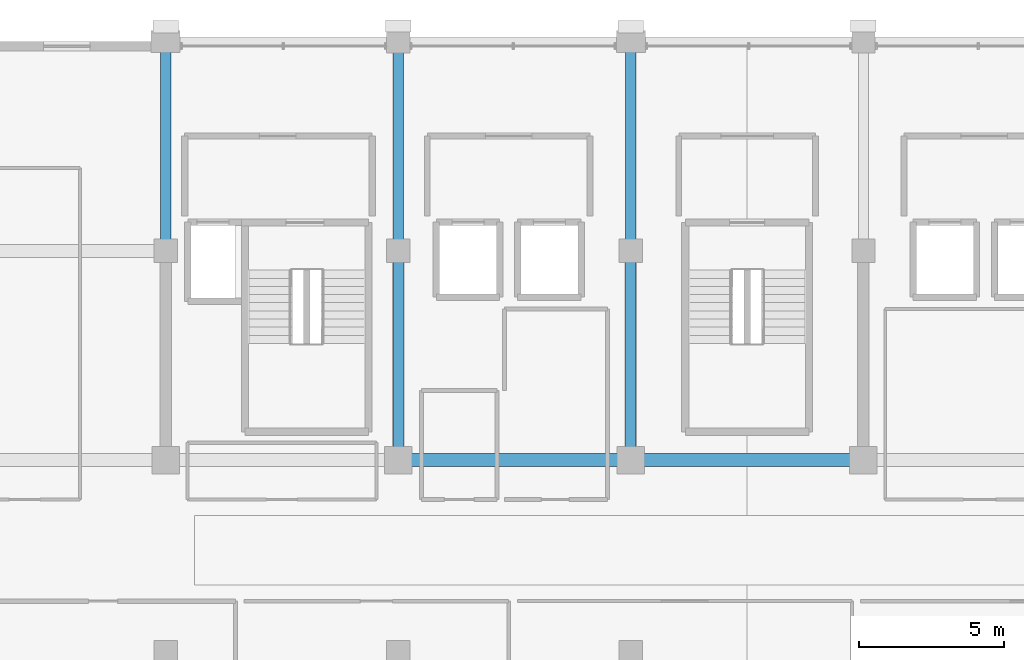
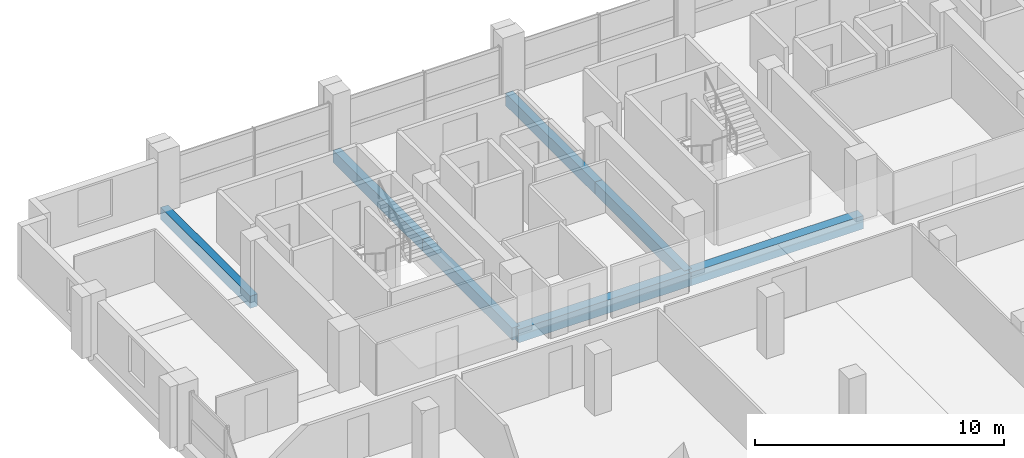
# One storey, part 12 of 23: 7 beams.
"""IFC4 building model written with IfcOpenShell, lengths in metres."""

from ifc_helpers import new_model, si_unit, direction, frame, origin, origin_2d, place, context, subcontext, project, spatial, rectangle, extrude, material, material_profile, profile_set, type_object, element, save


model = new_model("IFC4")

# Units and contexts
model_context = context("Model", 3, precision=1e-05, world=origin(), true_north=direction((0.0, 1.0)))
body_context = subcontext(model_context, "Body", "Model", "MODEL_VIEW")
ifc_project = project(units=[si_unit("LENGTHUNIT", "METRE"), si_unit("AREAUNIT", "SQUARE_METRE"), si_unit("VOLUMEUNIT", "CUBIC_METRE"), si_unit("PLANEANGLEUNIT", "RADIAN"), si_unit("MASSUNIT", "GRAM", prefix="KILO")], contexts=[model_context])

# Site, building, storey
site_placement = place(None, origin())
site = spatial("IfcSite", under=ifc_project, at=site_placement, CompositionType="ELEMENT")
building_placement = place(site_placement, origin())
building = spatial("IfcBuilding", under=site, at=building_placement, Name="Akrevak Sports Hall", CompositionType="ELEMENT")
storey_placement = place(building_placement, frame((0.0, 0.0, 43.800048828125)))
storey = spatial("IfcBuildingStorey", under=building, at=storey_placement, Name="L10", CompositionType="ELEMENT", Elevation=43.800048828125)

# Beams
ifc_material = material(Name="Concrete C40/50", Category="concrete")
ifc_material_profile_1 = material_profile(ifc_material, rectangle(XDim=0.35009765625, YDim=0.60009765625, at=origin_2d()), Name="BM 350x600", Category="concrete")
ifc_profile_set_1 = profile_set([ifc_material_profile_1], Name="Concrete C40/50")
beam_type_1 = type_object("IfcBeamType", Name="STR-BM-RC350x600", PredefinedType="BEAM", material=ifc_profile_set_1)
beam_1_placement = place(storey_placement, frame((60.0, 62.39990234375, -0.300048828125), z_axis=(0.0, 1.0, 0.0), x_axis=(-1.0, 0.0, 0.0)))
element("IfcBeam", 1, at=beam_1_placement, inside=storey, type_object=beam_type_1, Name="Girder 9/J-K (L10)", PredefinedType="BEAM", context=body_context, shape_type="SweptSolid", body=[
    extrude(rectangle(XDim=0.35009765625, YDim=0.60009765625, at=origin_2d()), origin(), (0.0, 0.0, 1.0), 7.2001953125),
])
beam_2_placement = place(storey_placement, frame((68.0, 55.199951171875, -0.300048828125), z_axis=(0.0, 1.0, 0.0), x_axis=(-1.0, 0.0, 0.0)))
element("IfcBeam", 2, at=beam_2_placement, inside=storey, type_object=beam_type_1, Name="Girder 10/I-J (L10)", PredefinedType="BEAM", context=body_context, shape_type="SweptSolid", body=[
    extrude(rectangle(XDim=0.35009765625, YDim=0.60009765625, at=origin_2d()), origin(), (0.0, 0.0, 1.0), 7.199951171875),
])
beam_3_placement = place(storey_placement, frame((68.0, 62.39990234375, -0.300048828125), z_axis=(0.0, 1.0, 0.0), x_axis=(-1.0, 0.0, 0.0)))
element("IfcBeam", 3, at=beam_3_placement, inside=storey, type_object=beam_type_1, Name="Girder 10/J-K (L10)", PredefinedType="BEAM", context=body_context, shape_type="SweptSolid", body=[
    extrude(rectangle(XDim=0.35009765625, YDim=0.60009765625, at=origin_2d()), origin(), (0.0, 0.0, 1.0), 7.2001953125),
])
beam_4_placement = place(storey_placement, frame((76.0, 55.199951171875, -0.300048828125), z_axis=(0.0, 1.0, 0.0), x_axis=(-1.0, 0.0, 0.0)))
element("IfcBeam", 4, at=beam_4_placement, inside=storey, type_object=beam_type_1, Name="Girder 11/I-J (L10)", PredefinedType="BEAM", context=body_context, shape_type="SweptSolid", body=[
    extrude(rectangle(XDim=0.35009765625, YDim=0.60009765625, at=origin_2d()), origin(), (0.0, 0.0, 1.0), 7.199951171875),
])
beam_5_placement = place(storey_placement, frame((76.0, 62.39990234375, -0.300048828125), z_axis=(0.0, 1.0, 0.0), x_axis=(-1.0, 0.0, 0.0)))
element("IfcBeam", 5, at=beam_5_placement, inside=storey, type_object=beam_type_1, Name="Girder 11/J-K (L10)", PredefinedType="BEAM", context=body_context, shape_type="SweptSolid", body=[
    extrude(rectangle(XDim=0.35009765625, YDim=0.60009765625, at=origin_2d()), origin(), (0.0, 0.0, 1.0), 7.2001953125),
])
ifc_material_profile_2 = material_profile(ifc_material, rectangle(XDim=0.449951171875, YDim=0.64990234375, at=origin_2d()), Name="BM 450x650", Category="concrete")
ifc_profile_set_2 = profile_set([ifc_material_profile_2], Name="Concrete C40/50")
beam_type_2 = type_object("IfcBeamType", Name="STR-BM-RC450x650", PredefinedType="BEAM", material=ifc_profile_set_2)
for number, where, z_axis, x_axis, name in (
    (6, (68.0, 55.199951171875, -0.324951171875), (1.0, 0.0, 0.0), (0.0, 1.0, 0.0), "Girder I/10-11 (L10)"),
    (7, (76.0, 55.199951171875, -0.324951171875), (1.0, 0.0, 0.0), (0.0, 1.0, 0.0), "Girder I/11-12 (L10)"),
):
    element("IfcBeam", number, at=place(storey_placement, frame(where, z_axis=z_axis, x_axis=x_axis)), inside=storey, type_object=beam_type_2, Name=name, PredefinedType="BEAM", context=body_context, shape_type="SweptSolid", body=[
        extrude(rectangle(XDim=0.449951171875, YDim=0.64990234375, at=origin_2d()), origin(), (0.0, 0.0, 1.0), 8.0),
    ])

save(model, "model.ifc")
